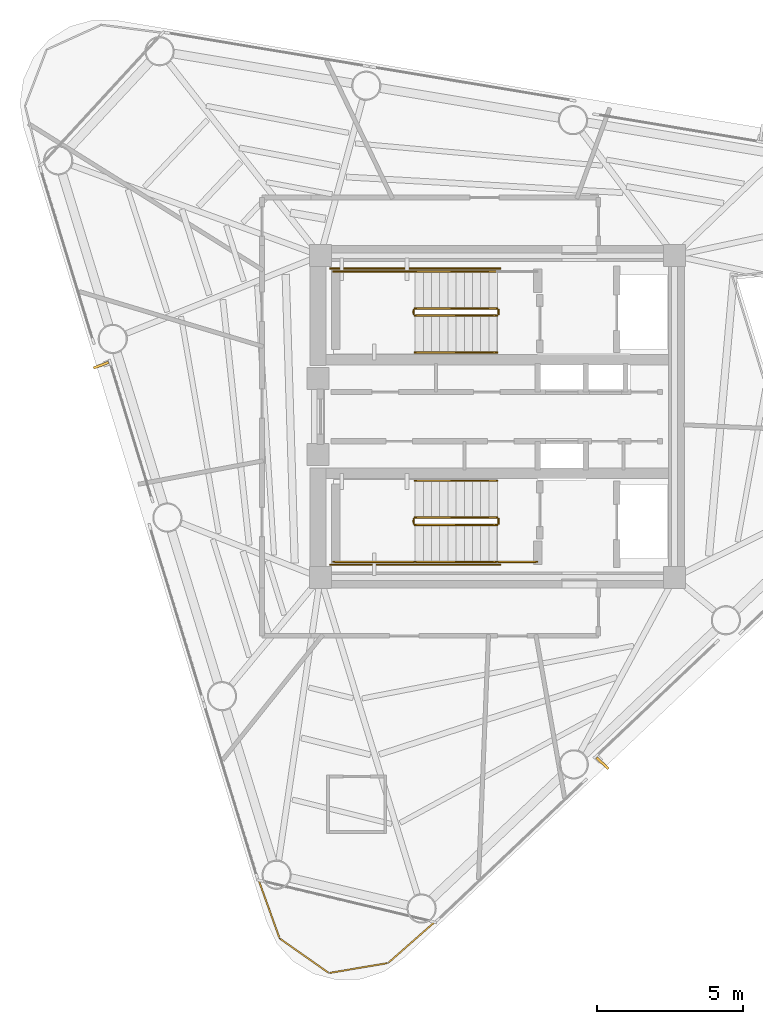
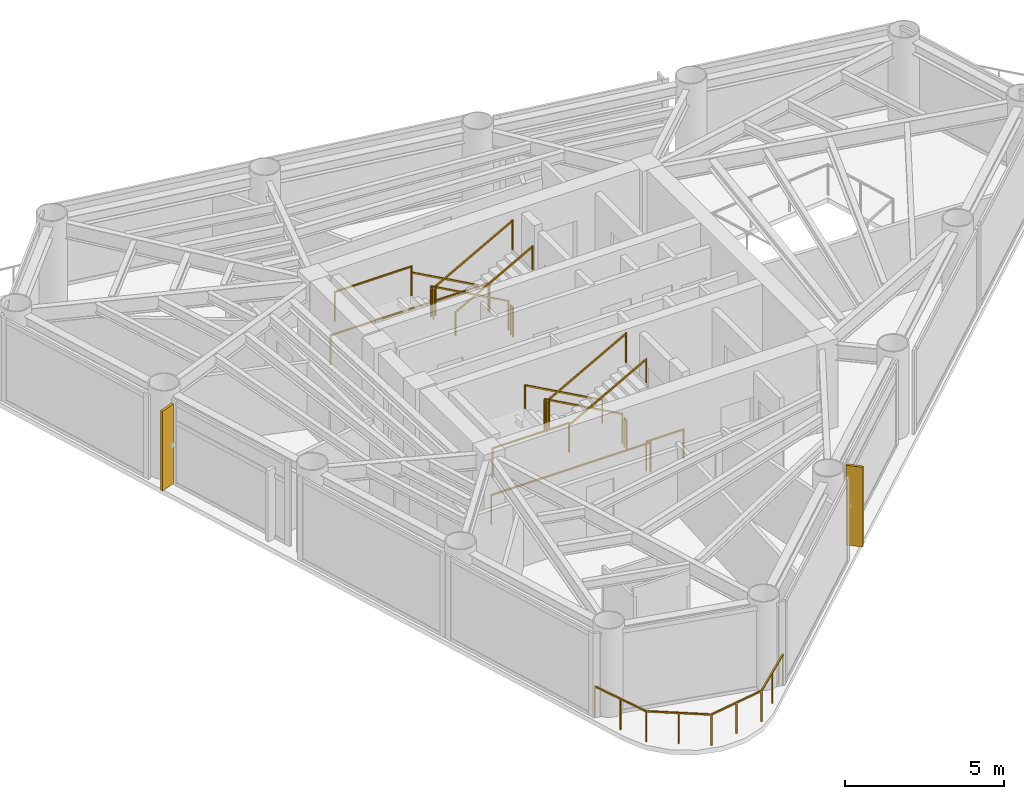
# One storey, part 8 of 9: 18 railings, 2 shading devices.
"""IFC4 building model written with IfcOpenShell, lengths in metres."""

from ifc_helpers import new_model, si_unit, direction, frame, origin, origin_2d, place, context, subcontext, project, spatial, rectangle, extrude, source, transform, mapped, material, material_profile, profile_set, type_object, element, save


model = new_model("IFC4")

# Units and contexts
model_context = context("Model", 3, precision=1e-05, world=origin(), true_north=direction((0.0, 1.0)))
body_context = subcontext(model_context, "Body", "Model", "MODEL_VIEW")
ifc_project = project(units=[si_unit("LENGTHUNIT", "METRE"), si_unit("AREAUNIT", "SQUARE_METRE"), si_unit("VOLUMEUNIT", "CUBIC_METRE"), si_unit("PLANEANGLEUNIT", "RADIAN"), si_unit("MASSUNIT", "GRAM", prefix="KILO")], contexts=[model_context])

# Site, building, storey
site_placement = place(None, origin())
site = spatial("IfcSite", under=ifc_project, at=site_placement, CompositionType="ELEMENT")
building_placement = place(site_placement, origin())
building = spatial("IfcBuilding", under=site, at=building_placement, Name="Yunling Apex Tower", CompositionType="ELEMENT")
storey_placement = place(building_placement, frame((0.0, 0.0, 249.050048828125)))
storey = spatial("IfcBuildingStorey", under=building, at=storey_placement, Name="L61", CompositionType="ELEMENT", Elevation=249.050048828125)

# Railings
ifc_material_1 = material(Name="Bronze anodised aluminium", Category="aluminium")
railing_type_1 = type_object("IfcRailingType", Name="RL-BAL-1200", PredefinedType="BALUSTRADE", material=ifc_material_1)
railing_1_placement = place(storey_placement, frame((-2.147216796875, -17.2724609375, 0.0)))
element("IfcRailing", 1, at=railing_1_placement, inside=storey, type_object=railing_type_1, Name="RL-CRNSILL-L61-3", PredefinedType="BALUSTRADE", context=body_context, shape_type="SweptSolid", body=[
    extrude(rectangle(XDim=0.0439453125, YDim=0.0439453125, at=origin_2d()), origin(), (0.0, 0.0, 1.0), 1.199951171875),
    extrude(rectangle(XDim=0.0439453125, YDim=0.0439453125, at=origin_2d()), frame((-1.58740234375, -1.396728515625, 0.0)), (0.0, 0.0, 1.0), 1.199951171875),
    extrude(rectangle(XDim=0.050048828125, YDim=0.050048828125, at=origin_2d()), frame((-0.02880859375, -0.025390625, 1.1748046875), z_axis=(-0.750757036125, -0.660578437968, 0.0), x_axis=(0.660578437968, -0.750757036125, 0.0)), (0.0, 0.0, 1.0), 2.037841796875),
    extrude(rectangle(XDim=0.0439453125, YDim=0.0439453125, at=origin_2d()), frame((-0.793701171875, -0.6982421875, 0.0)), (0.0, 0.0, 1.0), 1.14599609375),
    extrude(rectangle(XDim=0.0439453125, YDim=0.0439453125, at=origin_2d()), frame((-3.609130859375, -1.738525390625, 0.0)), (0.0, 0.0, 1.0), 1.199951171875),
    extrude(rectangle(XDim=0.050048828125, YDim=0.050048828125, at=origin_2d()), frame((-1.625244140625, -1.403076171875, 1.1748046875), z_axis=(-0.986008296857, -0.166696246299, 0.0), x_axis=(0.166696246299, -0.986008296857, 0.0)), (0.0, 0.0, 1.0), 1.973876953125),
    extrude(rectangle(XDim=0.0439453125, YDim=0.0439453125, at=origin_2d()), frame((-2.59814453125, -1.567626953125, 0.0)), (0.0, 0.0, 1.0), 1.14599609375),
    extrude(rectangle(XDim=0.0439453125, YDim=0.0439453125, at=origin_2d()), frame((-5.29296875, -0.556884765625, 0.0)), (0.0, 0.0, 1.0), 1.199951171875),
    extrude(rectangle(XDim=0.050048828125, YDim=0.050048828125, at=origin_2d()), frame((-3.640625, -1.716552734375, 1.1748046875), z_axis=(-0.818556692462, 0.574425749096, 0.0), x_axis=(-0.574425749096, -0.818556692462, 0.0)), (0.0, 0.0, 1.0), 1.98046875),
    extrude(rectangle(XDim=0.0439453125, YDim=0.0439453125, at=origin_2d()), frame((-4.451171875, -1.147705078125, 0.0)), (0.0, 0.0, 1.0), 1.14599609375),
    extrude(rectangle(XDim=0.0439453125, YDim=0.0439453125, at=origin_2d()), frame((-6.0087890625, 1.431884765625, 0.0)), (0.0, 0.0, 1.0), 1.199951171875),
    extrude(rectangle(XDim=0.050048828125, YDim=0.050048828125, at=origin_2d()), frame((-5.305908203125, -0.520751953125, 1.1748046875), z_axis=(-0.338662205699, 0.940908024427, 0.0), x_axis=(-0.940908024427, -0.338662205699, 0.0)), (0.0, 0.0, 1.0), 2.037109375),
    extrude(rectangle(XDim=0.0439453125, YDim=0.0439453125, at=origin_2d()), frame((-5.65087890625, 0.4375, 0.0)), (0.0, 0.0, 1.0), 1.14599609375),
])
ifc_material_2 = material(Name="Steel Q355B", Category="steel")
railing_type_2 = type_object("IfcRailingType", Name="RL-GRD-1150", PredefinedType="GUARDRAIL", material=ifc_material_2)
railing_2_placement = place(storey_placement, frame((-0.010009765625, 3.699951171875, 0.154541015625)))
element("IfcRailing", 2, at=railing_2_placement, inside=storey, type_object=railing_type_2, Name="L61 ST-1 stair guard 1", PredefinedType="GUARDRAIL", context=body_context, shape_type="SweptSolid", body=[
    extrude(rectangle(XDim=0.0439453125, YDim=0.0439453125, at=origin_2d()), origin(), (0.0, 0.0, 1.0), 1.14990234375),
    extrude(rectangle(XDim=0.0439453125, YDim=0.0439453125, at=origin_2d()), frame((-2.800048828125, 0.0, 1.54541015625)), (0.0, 0.0, 1.0), 1.14990234375),
    extrude(rectangle(XDim=0.050048828125, YDim=0.050048828125, at=origin_2d()), frame((-0.033447265625, 0.0, 1.143310546875), z_axis=(-0.875504190374, 0.0, 0.483210526207), x_axis=(0.0, -1.0, 0.0)), (0.0, 0.0, 1.0), 3.12158203125),
])
railing_3_placement = place(storey_placement, frame((-2.860107421875, 3.64990234375, 1.699951171875)))
element("IfcRailing", 3, at=railing_3_placement, inside=storey, type_object=railing_type_2, Name="L61 ST-1 stair guard 2", PredefinedType="GUARDRAIL", context=body_context, shape_type="SweptSolid", body=[
    extrude(rectangle(XDim=0.0439453125, YDim=0.0439453125, at=origin_2d()), origin(), (0.0, 0.0, 1.0), 1.14990234375),
    extrude(rectangle(XDim=0.0439453125, YDim=0.0439453125, at=origin_2d()), frame((0.0, -0.14990234375, 0.0)), (0.0, 0.0, 1.0), 1.14990234375),
    extrude(rectangle(XDim=0.050048828125, YDim=0.050048828125, at=origin_2d()), frame((0.0, -0.038330078125, 1.125), z_axis=(0.0, -1.0, 0.0), x_axis=(1.0, 0.0, 0.0)), (0.0, 0.0, 1.0), 0.0732421875),
])
railing_4_placement = place(storey_placement, frame((-2.81005859375, 4.9599609375, 1.699951171875)))
element("IfcRailing", 4, at=railing_4_placement, inside=storey, type_object=railing_type_2, Name="L61 ST-1 stair guard 3", PredefinedType="GUARDRAIL", context=body_context, shape_type="SweptSolid", body=[
    extrude(rectangle(XDim=0.0439453125, YDim=0.0439453125, at=origin_2d()), origin(), (0.0, 0.0, 1.0), 1.14990234375),
    extrude(rectangle(XDim=0.0439453125, YDim=0.0439453125, at=origin_2d()), frame((-2.7900390625, 0.0, 0.0)), (0.0, 0.0, 1.0), 1.14990234375),
    extrude(rectangle(XDim=0.050048828125, YDim=0.050048828125, at=origin_2d()), frame((-0.038330078125, 0.0, 1.125), z_axis=(-1.0, 0.0, 0.0), x_axis=(0.0, -1.0, 0.0)), (0.0, 0.0, 1.0), 2.71337890625),
])
railing_5_placement = place(storey_placement, frame((-2.81005859375, 3.449951171875, 1.8544921875)))
element("IfcRailing", 5, at=railing_5_placement, inside=storey, type_object=railing_type_2, Name="L61 ST-1 stair guard 4", PredefinedType="GUARDRAIL", context=body_context, shape_type="SweptSolid", body=[
    extrude(rectangle(XDim=0.0439453125, YDim=0.0439453125, at=origin_2d()), origin(), (0.0, 0.0, 1.0), 1.14990234375),
    extrude(rectangle(XDim=0.0439453125, YDim=0.0439453125, at=origin_2d()), frame((2.800048828125, 0.0, 1.54541015625)), (0.0, 0.0, 1.0), 1.14990234375),
    extrude(rectangle(XDim=0.050048828125, YDim=0.050048828125, at=origin_2d()), frame((0.033447265625, 0.0, 1.143310546875), z_axis=(0.875504190374, 0.0, 0.483210526207), x_axis=(0.0, 1.0, 0.0)), (0.0, 0.0, 1.0), 3.12158203125),
])
railing_6_placement = place(storey_placement, frame((0.0400390625, 3.64990234375, 0.0)))
element("IfcRailing", 6, at=railing_6_placement, inside=storey, type_object=railing_type_2, Name="L61 ST-1 stair guard 5", PredefinedType="GUARDRAIL", context=body_context, shape_type="SweptSolid", body=[
    extrude(rectangle(XDim=0.0439453125, YDim=0.0439453125, at=origin_2d()), origin(), (0.0, 0.0, 1.0), 1.14990234375),
    extrude(rectangle(XDim=0.0439453125, YDim=0.0439453125, at=origin_2d()), frame((0.0, -0.14990234375, 0.0)), (0.0, 0.0, 1.0), 1.14990234375),
    extrude(rectangle(XDim=0.050048828125, YDim=0.050048828125, at=origin_2d()), frame((0.0, -0.038330078125, 1.125), z_axis=(0.0, -1.0, 0.0), x_axis=(1.0, 0.0, 0.0)), (0.0, 0.0, 1.0), 0.0732421875),
])
railing_7_placement = place(storey_placement, frame((0.090087890625, 5.06005859375, 0.0)))
element("IfcRailing", 7, at=railing_7_placement, inside=storey, type_object=railing_type_2, Name="L61 ST-1 stair guard 7", PredefinedType="GUARDRAIL", context=body_context, shape_type="SweptSolid", body=[
    extrude(rectangle(XDim=0.0439453125, YDim=0.0439453125, at=origin_2d()), origin(), (0.0, 0.0, 1.0), 1.14990234375),
    extrude(rectangle(XDim=0.0439453125, YDim=0.0439453125, at=origin_2d()), frame((-5.7900390625, 0.0, 0.0)), (0.0, 0.0, 1.0), 1.14990234375),
    extrude(rectangle(XDim=0.050048828125, YDim=0.050048828125, at=origin_2d()), frame((-0.038330078125, 0.0, 1.125), z_axis=(-1.0, 0.0, 0.0), x_axis=(0.0, -1.0, 0.0)), (0.0, 0.0, 1.0), 5.71337890625),
])
railing_8_placement = place(storey_placement, frame((-0.010009765625, -3.449951171875, 0.154541015625)))
element("IfcRailing", 8, at=railing_8_placement, inside=storey, type_object=railing_type_2, Name="L61 ST-2 stair guard 1", PredefinedType="GUARDRAIL", context=body_context, shape_type="SweptSolid", body=[
    extrude(rectangle(XDim=0.0439453125, YDim=0.0439453125, at=origin_2d()), origin(), (0.0, 0.0, 1.0), 1.14990234375),
    extrude(rectangle(XDim=0.0439453125, YDim=0.0439453125, at=origin_2d()), frame((-2.800048828125, 0.0, 1.54541015625)), (0.0, 0.0, 1.0), 1.14990234375),
    extrude(rectangle(XDim=0.050048828125, YDim=0.050048828125, at=origin_2d()), frame((-0.033447265625, 0.0, 1.143310546875), z_axis=(-0.875504190374, 0.0, 0.483210526207), x_axis=(0.0, -1.0, 0.0)), (0.0, 0.0, 1.0), 3.12158203125),
])
railing_9_placement = place(storey_placement, frame((-2.860107421875, -3.5, 1.699951171875)))
element("IfcRailing", 9, at=railing_9_placement, inside=storey, type_object=railing_type_2, Name="L61 ST-2 stair guard 2", PredefinedType="GUARDRAIL", context=body_context, shape_type="SweptSolid", body=[
    extrude(rectangle(XDim=0.0439453125, YDim=0.0439453125, at=origin_2d()), origin(), (0.0, 0.0, 1.0), 1.14990234375),
    extrude(rectangle(XDim=0.0439453125, YDim=0.0439453125, at=origin_2d()), frame((0.0, -0.14990234375, 0.0)), (0.0, 0.0, 1.0), 1.14990234375),
    extrude(rectangle(XDim=0.050048828125, YDim=0.050048828125, at=origin_2d()), frame((0.0, -0.038330078125, 1.125), z_axis=(0.0, -1.0, 0.0), x_axis=(1.0, 0.0, 0.0)), (0.0, 0.0, 1.0), 0.0732421875),
])
railing_10_placement = place(storey_placement, frame((-2.81005859375, -4.9599609375, 1.699951171875)))
element("IfcRailing", 10, at=railing_10_placement, inside=storey, type_object=railing_type_2, Name="L61 ST-2 stair guard 3", PredefinedType="GUARDRAIL", context=body_context, shape_type="SweptSolid", body=[
    extrude(rectangle(XDim=0.0439453125, YDim=0.0439453125, at=origin_2d()), origin(), (0.0, 0.0, 1.0), 1.14990234375),
    extrude(rectangle(XDim=0.0439453125, YDim=0.0439453125, at=origin_2d()), frame((-2.7900390625, 0.0, 0.0)), (0.0, 0.0, 1.0), 1.14990234375),
    extrude(rectangle(XDim=0.050048828125, YDim=0.050048828125, at=origin_2d()), frame((-0.038330078125, 0.0, 1.125), z_axis=(-1.0, 0.0, 0.0), x_axis=(0.0, -1.0, 0.0)), (0.0, 0.0, 1.0), 2.71337890625),
])
railing_11_placement = place(storey_placement, frame((-2.81005859375, -3.699951171875, 1.8544921875)))
element("IfcRailing", 11, at=railing_11_placement, inside=storey, type_object=railing_type_2, Name="L61 ST-2 stair guard 4", PredefinedType="GUARDRAIL", context=body_context, shape_type="SweptSolid", body=[
    extrude(rectangle(XDim=0.0439453125, YDim=0.0439453125, at=origin_2d()), origin(), (0.0, 0.0, 1.0), 1.14990234375),
    extrude(rectangle(XDim=0.0439453125, YDim=0.0439453125, at=origin_2d()), frame((2.800048828125, 0.0, 1.54541015625)), (0.0, 0.0, 1.0), 1.14990234375),
    extrude(rectangle(XDim=0.050048828125, YDim=0.050048828125, at=origin_2d()), frame((0.033447265625, 0.0, 1.143310546875), z_axis=(0.875504190374, 0.0, 0.483210526207), x_axis=(0.0, 1.0, 0.0)), (0.0, 0.0, 1.0), 3.12158203125),
])
railing_12_placement = place(storey_placement, frame((0.0400390625, -3.5, 0.0)))
element("IfcRailing", 12, at=railing_12_placement, inside=storey, type_object=railing_type_2, Name="L61 ST-2 stair guard 5", PredefinedType="GUARDRAIL", context=body_context, shape_type="SweptSolid", body=[
    extrude(rectangle(XDim=0.0439453125, YDim=0.0439453125, at=origin_2d()), origin(), (0.0, 0.0, 1.0), 1.14990234375),
    extrude(rectangle(XDim=0.0439453125, YDim=0.0439453125, at=origin_2d()), frame((0.0, -0.14990234375, 0.0)), (0.0, 0.0, 1.0), 1.14990234375),
    extrude(rectangle(XDim=0.050048828125, YDim=0.050048828125, at=origin_2d()), frame((0.0, -0.038330078125, 1.125), z_axis=(0.0, -1.0, 0.0), x_axis=(1.0, 0.0, 0.0)), (0.0, 0.0, 1.0), 0.0732421875),
])
railing_13_placement = place(storey_placement, frame((1.35009765625, -4.9599609375, 0.0)))
element("IfcRailing", 13, at=railing_13_placement, inside=storey, type_object=railing_type_2, Name="L61 ST-2 stair guard 6", PredefinedType="GUARDRAIL", context=body_context, shape_type="SweptSolid", body=[
    extrude(rectangle(XDim=0.0439453125, YDim=0.0439453125, at=origin_2d()), origin(), (0.0, 0.0, 1.0), 1.14990234375),
    extrude(rectangle(XDim=0.0439453125, YDim=0.0439453125, at=origin_2d()), frame((-1.360107421875, 0.0, 0.0)), (0.0, 0.0, 1.0), 1.14990234375),
    extrude(rectangle(XDim=0.050048828125, YDim=0.050048828125, at=origin_2d()), frame((-0.038330078125, 0.0, 1.125), z_axis=(-1.0, 0.0, 0.0), x_axis=(0.0, -1.0, 0.0)), (0.0, 0.0, 1.0), 1.283447265625),
])
railing_14_placement = place(storey_placement, frame((0.090087890625, -5.06005859375, 0.0)))
element("IfcRailing", 14, at=railing_14_placement, inside=storey, type_object=railing_type_2, Name="L61 ST-2 stair guard 7", PredefinedType="GUARDRAIL", context=body_context, shape_type="SweptSolid", body=[
    extrude(rectangle(XDim=0.0439453125, YDim=0.0439453125, at=origin_2d()), origin(), (0.0, 0.0, 1.0), 1.14990234375),
    extrude(rectangle(XDim=0.0439453125, YDim=0.0439453125, at=origin_2d()), frame((-5.7900390625, 0.0, 0.0)), (0.0, 0.0, 1.0), 1.14990234375),
    extrude(rectangle(XDim=0.050048828125, YDim=0.050048828125, at=origin_2d()), frame((-0.038330078125, 0.0, 1.125), z_axis=(-1.0, 0.0, 0.0), x_axis=(0.0, -1.0, 0.0)), (0.0, 0.0, 1.0), 5.71337890625),
])
ifc_material_3 = material(Name="Silver anodised aluminium", Category="aluminium")
railing_type_3 = type_object("IfcRailingType", Name="RL-HND-900", PredefinedType="HANDRAIL", material=ifc_material_3)
railing_15_placement = place(storey_placement, frame((-0.010009765625, 4.9599609375, 0.154541015625)))
element("IfcRailing", 15, at=railing_15_placement, inside=storey, type_object=railing_type_3, Name="L61 ST-1 stair handrail 1", PredefinedType="HANDRAIL", context=body_context, shape_type="SweptSolid", body=[
    extrude(rectangle(XDim=0.0439453125, YDim=0.0439453125, at=origin_2d()), origin(), (0.0, 0.0, 1.0), 0.919921875),
    extrude(rectangle(XDim=0.0439453125, YDim=0.0439453125, at=origin_2d()), frame((-2.800048828125, 0.0, 1.54541015625)), (0.0, 0.0, 1.0), 0.919921875),
    extrude(rectangle(XDim=0.050048828125, YDim=0.050048828125, at=origin_2d()), frame((-0.033447265625, 0.0, 0.913330078125), z_axis=(-0.875504190374, 0.0, 0.483210526207), x_axis=(0.0, -1.0, 0.0)), (0.0, 0.0, 1.0), 3.12158203125),
])
railing_16_placement = place(storey_placement, frame((-2.81005859375, 2.18994140625, 1.8544921875)))
element("IfcRailing", 16, at=railing_16_placement, inside=storey, type_object=railing_type_3, Name="L61 ST-1 stair handrail 2", PredefinedType="HANDRAIL", context=body_context, shape_type="SweptSolid", body=[
    extrude(rectangle(XDim=0.0439453125, YDim=0.0439453125, at=origin_2d()), origin(), (0.0, 0.0, 1.0), 0.919921875),
    extrude(rectangle(XDim=0.0439453125, YDim=0.0439453125, at=origin_2d()), frame((2.800048828125, 0.0, 1.54541015625)), (0.0, 0.0, 1.0), 0.919921875),
    extrude(rectangle(XDim=0.050048828125, YDim=0.050048828125, at=origin_2d()), frame((0.033447265625, 0.0, 0.913330078125), z_axis=(0.875504190374, 0.0, 0.483210526207), x_axis=(0.0, 1.0, 0.0)), (0.0, 0.0, 1.0), 3.12158203125),
])
railing_17_placement = place(storey_placement, frame((-0.010009765625, -2.18994140625, 0.154541015625)))
element("IfcRailing", 17, at=railing_17_placement, inside=storey, type_object=railing_type_3, Name="L61 ST-2 stair handrail 1", PredefinedType="HANDRAIL", context=body_context, shape_type="SweptSolid", body=[
    extrude(rectangle(XDim=0.0439453125, YDim=0.0439453125, at=origin_2d()), origin(), (0.0, 0.0, 1.0), 0.919921875),
    extrude(rectangle(XDim=0.0439453125, YDim=0.0439453125, at=origin_2d()), frame((-2.800048828125, 0.0, 1.54541015625)), (0.0, 0.0, 1.0), 0.919921875),
    extrude(rectangle(XDim=0.050048828125, YDim=0.050048828125, at=origin_2d()), frame((-0.033447265625, 0.0, 0.913330078125), z_axis=(-0.875504190374, 0.0, 0.483210526207), x_axis=(0.0, -1.0, 0.0)), (0.0, 0.0, 1.0), 3.12158203125),
])
railing_18_placement = place(storey_placement, frame((-2.81005859375, -4.9599609375, 1.8544921875)))
element("IfcRailing", 18, at=railing_18_placement, inside=storey, type_object=railing_type_3, Name="L61 ST-2 stair handrail 2", PredefinedType="HANDRAIL", context=body_context, shape_type="SweptSolid", body=[
    extrude(rectangle(XDim=0.0439453125, YDim=0.0439453125, at=origin_2d()), origin(), (0.0, 0.0, 1.0), 0.919921875),
    extrude(rectangle(XDim=0.0439453125, YDim=0.0439453125, at=origin_2d()), frame((2.800048828125, 0.0, 1.54541015625)), (0.0, 0.0, 1.0), 0.919921875),
    extrude(rectangle(XDim=0.050048828125, YDim=0.050048828125, at=origin_2d()), frame((0.033447265625, 0.0, 0.913330078125), z_axis=(0.875504190374, 0.0, 0.483210526207), x_axis=(0.0, 1.0, 0.0)), (0.0, 0.0, 1.0), 3.12158203125),
])

# Shading devices
ifc_material_profile = material_profile(ifc_material_1, rectangle(XDim=0.0849609375, YDim=0.550048828125, at=origin_2d()))
ifc_profile_set = profile_set([ifc_material_profile], Name="Bronze anodised aluminium")
shading_device_type = type_object("IfcShadingDeviceType", Name="FN-BRZ-3", PredefinedType="USERDEFINED", material=ifc_profile_set)
shared_shape = source(origin(), body_context, "Body", "SweptSolid", [
    extrude(rectangle(XDim=0.0849609375, YDim=0.550048828125, at=origin_2d()), origin(), (0.0, 0.0, 1.0), 3.06005859375),
])
for number, where, z_axis, x_axis, name in (
    (19, (3.591552734375, -11.841064453125, 0.059814453125), (0.0, 0.0, 1.0), (0.679313233894, 0.733848438205, 0.0), "CW-L61-F1-B2-FIN-01"),
    (20, (-13.5419921875, 1.759521484375, 0.059814453125), (0.0, 0.0, 1.0), (0.354291037998, -0.935135209686, 0.0), "CW-L61-F3-B2-FIN-01"),
):
    element("IfcShadingDevice", number, at=place(storey_placement, frame(where, z_axis=z_axis, x_axis=x_axis)), inside=storey, type_object=shading_device_type, Name=name, ObjectType="FIN", PredefinedType="USERDEFINED", context=body_context, shape_type="MappedRepresentation", body=[
        mapped(shared_shape, transform((0.0, 0.0, 0.0), scale=1.0)),
    ])

save(model, "model.ifc")
